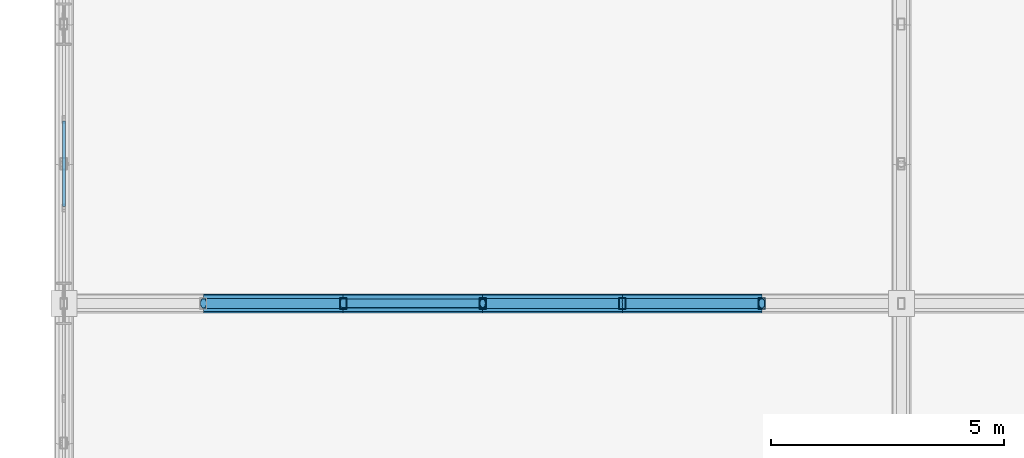
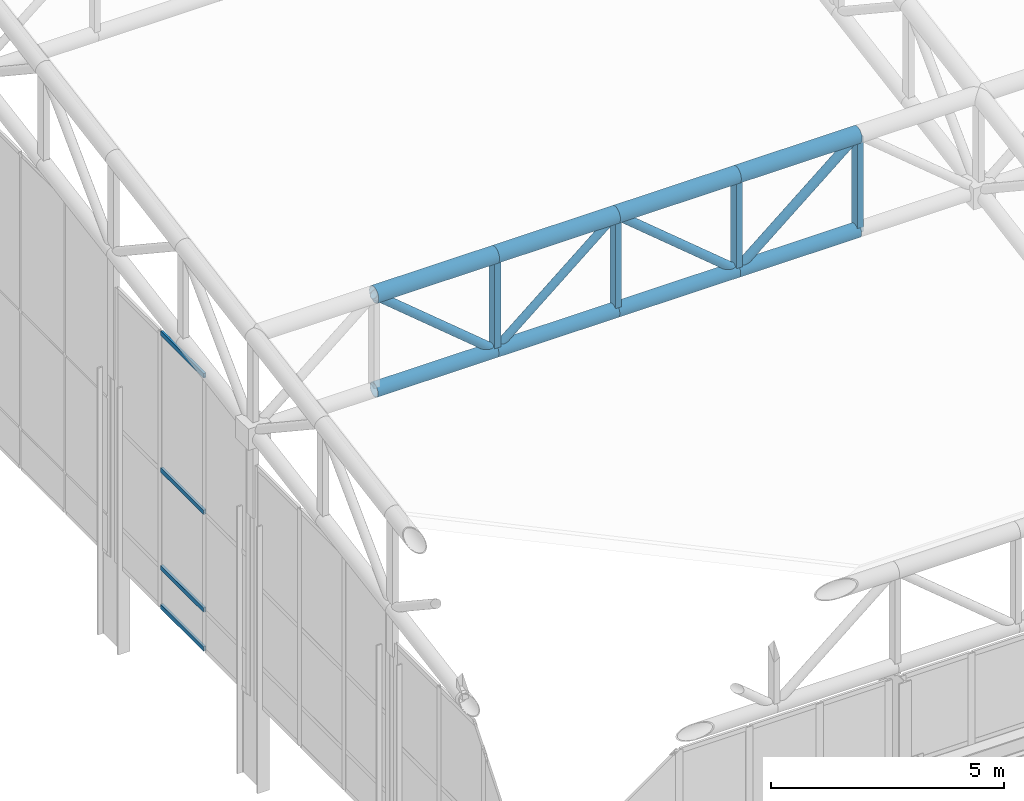
# One storey, part 37 of 239: 20 members, 1 element without a shape of its own.
"""IFC4 building model written with IfcOpenShell, lengths in metres."""

from ifc_helpers import new_model, si_unit, direction, frame, origin, origin_2d, place, context, subcontext, project, spatial, hollow_rectangle, hollow_circle, extrude, material, material_profile, profile_set, type_object, element, aggregate, save


model = new_model("IFC4")

# Units and contexts
model_context = context("Model", 3, precision=1e-05, world=origin(), true_north=direction((0.0, 1.0)))
body_context = subcontext(model_context, "Body", "Model", "MODEL_VIEW")
ifc_project = project(units=[si_unit("LENGTHUNIT", "METRE"), si_unit("AREAUNIT", "SQUARE_METRE"), si_unit("VOLUMEUNIT", "CUBIC_METRE"), si_unit("PLANEANGLEUNIT", "RADIAN"), si_unit("MASSUNIT", "GRAM", prefix="KILO")], contexts=[model_context])

# Site, building, storey
site_placement = place(None, origin())
site = spatial("IfcSite", under=ifc_project, at=site_placement, CompositionType="ELEMENT")
building_placement = place(site_placement, origin())
building = spatial("IfcBuilding", under=site, at=building_placement, Name="Kaldris Quays Convention Centre", CompositionType="ELEMENT")
storey_placement = place(building_placement, frame((0.0, 0.0, 11.39990234375)))
storey = spatial("IfcBuildingStorey", under=building, at=storey_placement, Name="L02", CompositionType="ELEMENT", Elevation=11.39990234375)

# Curtain wall, members
ifc_material_1 = material(Name="Anodized aluminium AW-6060 and triple glazing", Category="aluminium")
curtain_wall_type = type_object("IfcCurtainWallType", Name="UNITISED CURTAIN WALL CW03", PredefinedType="NOTDEFINED", material=ifc_material_1)
curtain_wall_placement = place(storey_placement, origin())
curtain_wall = element("IfcCurtainWall", 1, at=curtain_wall_placement, inside=storey, type_object=curtain_wall_type, Name="L02 Unitised Curtain Wall CW03 215", PredefinedType="NOTDEFINED")
ifc_material_2 = material(Name="Anodized aluminium AW-6060", Category="aluminium")
ifc_material_profile_1 = material_profile(ifc_material_2, hollow_rectangle(XDim=0.06005859375, YDim=0.1201171875, WallThickness=0.00390625, at=origin_2d()), Name="RHS 120x60x4")
ifc_profile_set_1 = profile_set([ifc_material_profile_1], Name="Anodized aluminium AW-6060")
member_type_1 = type_object("IfcMemberType", Name="CURTAIN TRANSOM CWT1", PredefinedType="USERDEFINED", material=ifc_profile_set_1)
member_1_placement = place(storey_placement, frame((20.0, 70.07666015625, 2.22509765625), z_axis=(0.0, 1.0, 0.0), x_axis=(-1.0, 0.0, 0.0)))
member_1 = element("IfcMember", 2, at=member_1_placement, type_object=member_type_1, Name="CW03 transom 2.1", ObjectType="TRANSOM", PredefinedType="USERDEFINED", context=body_context, shape_type="SweptSolid", body=[
    extrude(hollow_rectangle(XDim=0.06005859375, YDim=0.1201171875, WallThickness=0.00390625, at=origin_2d()), origin(), (0.0, 0.0, 1.0), 1.8466796875),
])
member_2_placement = place(storey_placement, frame((20.0, 70.07666015625, 3.2451171875), z_axis=(0.0, 1.0, 0.0), x_axis=(-1.0, 0.0, 0.0)))
member_2 = element("IfcMember", 3, at=member_2_placement, type_object=member_type_1, Name="CW03 transom 2.2", ObjectType="TRANSOM", PredefinedType="USERDEFINED", context=body_context, shape_type="SweptSolid", body=[
    extrude(hollow_rectangle(XDim=0.06005859375, YDim=0.1201171875, WallThickness=0.00390625, at=origin_2d()), origin(), (0.0, 0.0, 1.0), 1.8466796875),
])
member_3_placement = place(storey_placement, frame((20.0, 70.07666015625, 5.80810546875), z_axis=(0.0, 1.0, 0.0), x_axis=(-1.0, 0.0, 0.0)))
member_3 = element("IfcMember", 4, at=member_3_placement, type_object=member_type_1, Name="CW03 transom 2.3", ObjectType="TRANSOM", PredefinedType="USERDEFINED", context=body_context, shape_type="SweptSolid", body=[
    extrude(hollow_rectangle(XDim=0.06005859375, YDim=0.1201171875, WallThickness=0.00390625, at=origin_2d()), origin(), (0.0, 0.0, 1.0), 1.8466796875),
])
member_4_placement = place(storey_placement, frame((20.0, 70.07666015625, 9.39111328125), z_axis=(0.0, 1.0, 0.0), x_axis=(-1.0, 0.0, 0.0)))
member_4 = element("IfcMember", 5, at=member_4_placement, type_object=member_type_1, Name="CW03 transom 2.4", ObjectType="TRANSOM", PredefinedType="USERDEFINED", context=body_context, shape_type="SweptSolid", body=[
    extrude(hollow_rectangle(XDim=0.06005859375, YDim=0.1201171875, WallThickness=0.00390625, at=origin_2d()), origin(), (0.0, 0.0, 1.0), 1.8466796875),
])
aggregate(curtain_wall, [member_1, member_2, member_3, member_4])

# Members
ifc_material_3 = material(Name="Steel S355J2H", Category="steel")
ifc_material_profile_2 = material_profile(ifc_material_3, hollow_circle(Radius=0.203125, WallThickness=0.01611328125, at=origin_2d()), Name="CHS 406.4x16")
ifc_profile_set_2 = profile_set([ifc_material_profile_2], Name="Steel S355J2H")
member_type_2 = type_object("IfcMemberType", Name="STRUCTURAL MEMBER SC01", PredefinedType="CHORD", material=ifc_profile_set_2)
for number, where, z_axis, x_axis, name in (
    (6, (23.0, 68.0, 11.72900390625), (1.0, 0.0, 0.0), (0.0, 1.0, 0.0), "SF-V1 Top Chord X 44"),
    (7, (26.0, 68.0, 11.72900390625), (1.0, 0.0, 0.0), (0.0, 1.0, 0.0), "SF-V1 Top Chord X 45"),
    (8, (29.0, 68.0, 11.72900390625), (1.0, 0.0, 0.0), (0.0, 1.0, 0.0), "SF-V1 Top Chord X 46"),
    (9, (32.0, 68.0, 11.72900390625), (1.0, 0.0, 0.0), (0.0, 1.0, 0.0), "SF-V1 Top Chord X 47"),
):
    element("IfcMember", number, at=place(storey_placement, frame(where, z_axis=z_axis, x_axis=x_axis)), inside=storey, type_object=member_type_2, Name=name, PredefinedType="CHORD", context=body_context, shape_type="SweptSolid", body=[
        extrude(hollow_circle(Radius=0.203125, WallThickness=0.01611328125, at=origin_2d()), origin(), (0.0, 0.0, 1.0), 3.0),
    ])
ifc_material_profile_3 = material_profile(ifc_material_3, hollow_circle(Radius=0.177734375, WallThickness=0.01611328125, at=origin_2d()), Name="CHS 355.6x16")
ifc_profile_set_3 = profile_set([ifc_material_profile_3], Name="Steel S355J2H")
member_type_3 = type_object("IfcMemberType", Name="STRUCTURAL MEMBER SC02", PredefinedType="CHORD", material=ifc_profile_set_3)
for number, where, z_axis, x_axis, name in (
    (10, (23.0, 68.0, 9.22900390625), (1.0, 0.0, 0.0), (0.0, 1.0, 0.0), "SF-V1 Bottom Chord X 44"),
    (11, (26.0, 68.0, 9.22900390625), (1.0, 0.0, 0.0), (0.0, 1.0, 0.0), "SF-V1 Bottom Chord X 45"),
    (12, (29.0, 68.0, 9.22900390625), (1.0, 0.0, 0.0), (0.0, 1.0, 0.0), "SF-V1 Bottom Chord X 46"),
    (13, (32.0, 68.0, 9.22900390625), (1.0, 0.0, 0.0), (0.0, 1.0, 0.0), "SF-V1 Bottom Chord X 47"),
):
    element("IfcMember", number, at=place(storey_placement, frame(where, z_axis=z_axis, x_axis=x_axis)), inside=storey, type_object=member_type_3, Name=name, PredefinedType="CHORD", context=body_context, shape_type="SweptSolid", body=[
        extrude(hollow_circle(Radius=0.177734375, WallThickness=0.01611328125, at=origin_2d()), origin(), (0.0, 0.0, 1.0), 3.0),
    ])
ifc_material_profile_4 = material_profile(ifc_material_3, hollow_circle(Radius=0.109619140625, WallThickness=0.010009765625, at=origin_2d()), Name="CHS 219.1x10")
ifc_profile_set_4 = profile_set([ifc_material_profile_4], Name="Steel S355J2H")
member_type_4 = type_object("IfcMemberType", Name="STRUCTURAL MEMBER SWB1", PredefinedType="BRACE", material=ifc_profile_set_4)
for number, where, z_axis, x_axis, name in (
    (14, (26.0, 68.0, 9.22900390625), (-0.768221279597, 0.0, 0.640184399664), (0.0, -1.0, 0.0), "SF-V1 Web Diagonal X 44"),
    (15, (32.0, 68.0, 9.22900390625), (-0.768221279597, 0.0, 0.640184399664), (0.0, -1.0, 0.0), "SF-V1 Web Diagonal X 46"),
    (16, (32.0, 68.0, 9.22900390625), (0.768221279597, 0.0, 0.640184399664), (0.0, 1.0, 0.0), "SF-V1 Web Diagonal X 47"),
):
    element("IfcMember", number, at=place(storey_placement, frame(where, z_axis=z_axis, x_axis=x_axis)), inside=storey, type_object=member_type_4, Name=name, PredefinedType="BRACE", context=body_context, shape_type="SweptSolid", body=[
        extrude(hollow_circle(Radius=0.109619140625, WallThickness=0.010009765625, at=origin_2d()), origin(), (0.0, 0.0, 1.0), 3.905029296875),
    ])
ifc_material_profile_5 = material_profile(ifc_material_3, hollow_circle(Radius=0.096923828125, WallThickness=0.008056640625, at=origin_2d()), Name="CHS 193.7x8")
ifc_profile_set_5 = profile_set([ifc_material_profile_5], Name="Steel S355J2H")
member_type_5 = type_object("IfcMemberType", Name="STRUCTURAL MEMBER SWB3", PredefinedType="BRACE", material=ifc_profile_set_5)
member_5_placement = place(storey_placement, frame((26.0, 68.0, 9.22900390625), z_axis=(0.768221279597, 0.0, 0.640184399664), x_axis=(0.0, 1.0, 0.0)))
element("IfcMember", 17, at=member_5_placement, inside=storey, type_object=member_type_5, Name="SF-V1 Web Diagonal X 45", PredefinedType="BRACE", context=body_context, shape_type="SweptSolid", body=[
    extrude(hollow_circle(Radius=0.096923828125, WallThickness=0.008056640625, at=origin_2d()), origin(), (0.0, 0.0, 1.0), 3.905029296875),
])
ifc_material_profile_6 = material_profile(ifc_material_3, hollow_rectangle(XDim=0.14990234375, YDim=0.25, WallThickness=0.010009765625, at=origin_2d()), Name="RHS 250x150x10")
ifc_profile_set_6 = profile_set([ifc_material_profile_6], Name="Steel S355J2H")
member_type_6 = type_object("IfcMemberType", Name="STRUCTURAL MEMBER TTV1", PredefinedType="POST", material=ifc_profile_set_6)
for number, where, z_axis, x_axis, name in (
    (18, (26.0, 68.0, 9.22900390625), (0.0, 0.0, 1.0), (1.0, 0.0, 0.0), "SF-V1 Space-Frame Post 39"),
    (19, (29.0, 68.0, 9.22900390625), (0.0, 0.0, 1.0), (1.0, 0.0, 0.0), "SF-V1 Space-Frame Post 47"),
    (20, (32.0, 68.0, 9.22900390625), (0.0, 0.0, 1.0), (1.0, 0.0, 0.0), "SF-V1 Space-Frame Post 55"),
    (21, (35.0, 68.0, 9.22900390625), (0.0, 0.0, 1.0), (1.0, 0.0, 0.0), "SF-V1 Space-Frame Post 63"),
):
    element("IfcMember", number, at=place(storey_placement, frame(where, z_axis=z_axis, x_axis=x_axis)), inside=storey, type_object=member_type_6, Name=name, PredefinedType="POST", context=body_context, shape_type="SweptSolid", body=[
        extrude(hollow_rectangle(XDim=0.14990234375, YDim=0.25, WallThickness=0.010009765625, at=origin_2d()), origin(), (0.0, 0.0, 1.0), 2.5),
    ])

save(model, "model.ifc")
